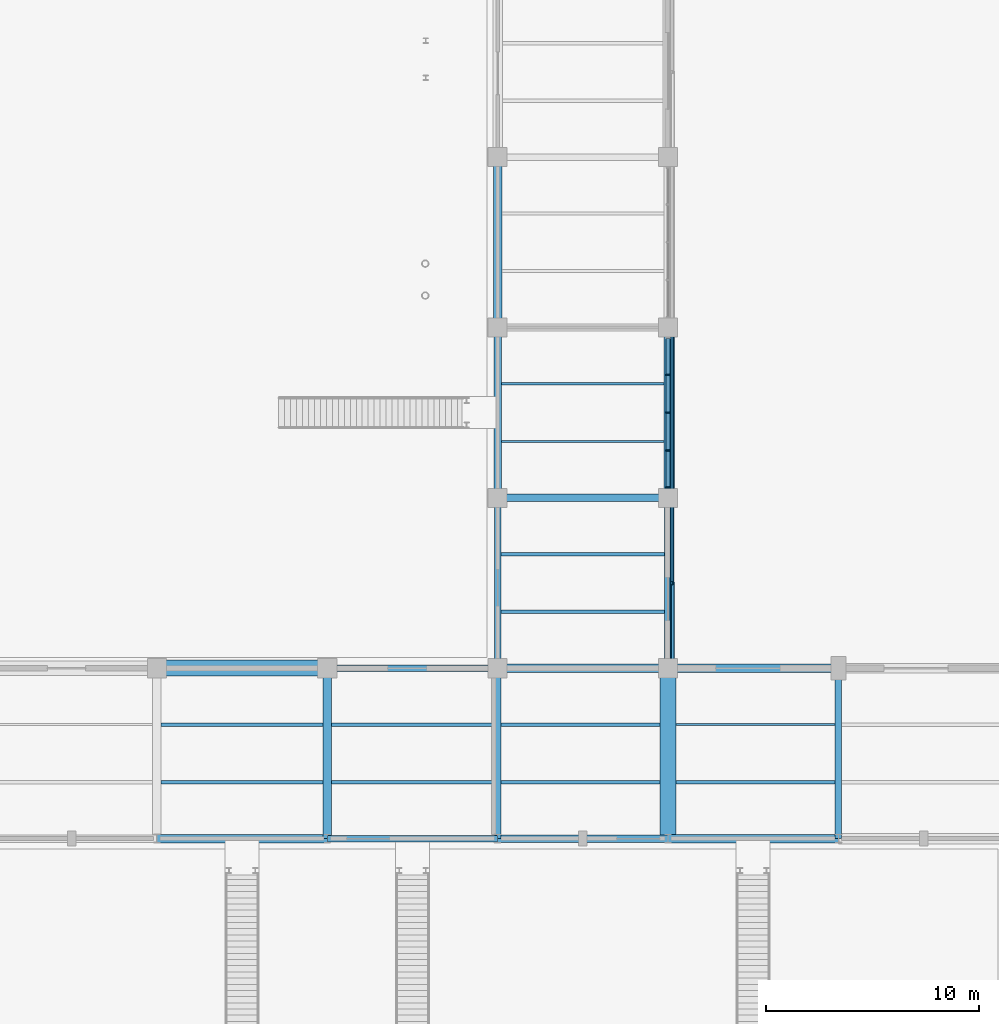
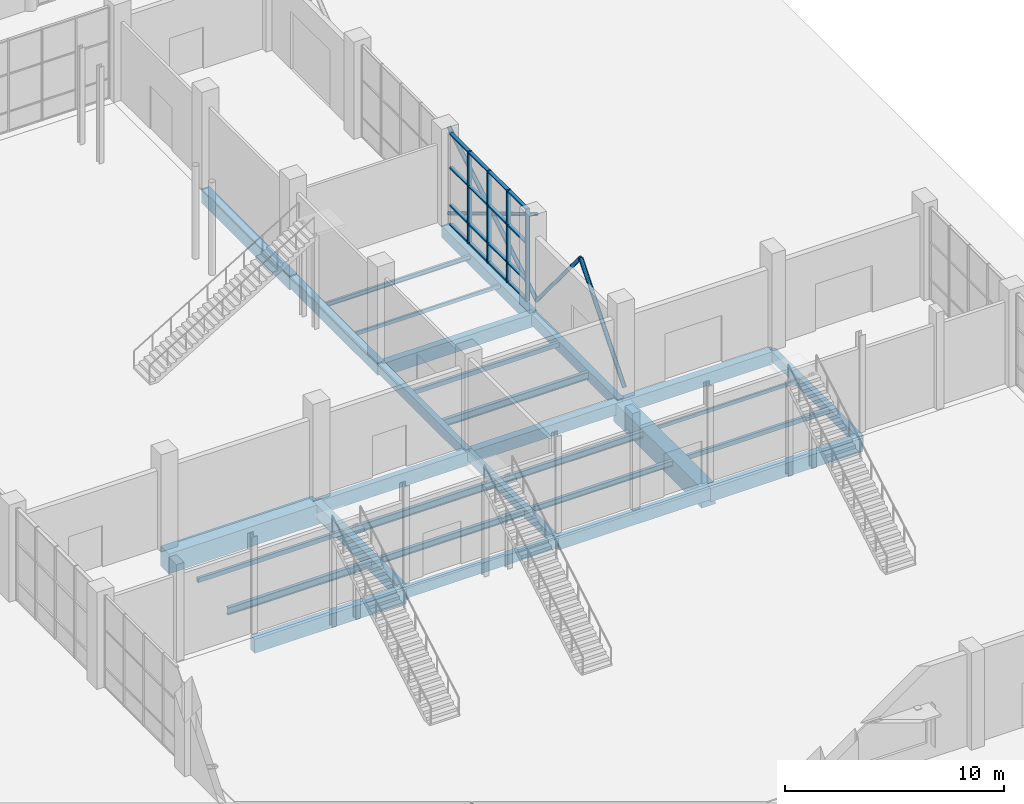
# One storey, part 54 of 123: 30 beams, 24 members, 1 element without a shape of its own.
"""IFC4 building model written with IfcOpenShell, lengths in metres."""

from ifc_helpers import new_model, si_unit, direction, frame, origin, origin_2d, place, context, subcontext, project, spatial, rectangle, hollow_rectangle, hollow_circle, i_section, extrude, material, material_profile, profile_set, type_object, element, aggregate, save


model = new_model("IFC4")

# Units and contexts
model_context = context("Model", 3, precision=1e-05, world=origin(), true_north=direction((0.0, 1.0)))
body_context = subcontext(model_context, "Body", "Model", "MODEL_VIEW")
ifc_project = project(units=[si_unit("LENGTHUNIT", "METRE"), si_unit("AREAUNIT", "SQUARE_METRE"), si_unit("VOLUMEUNIT", "CUBIC_METRE"), si_unit("PLANEANGLEUNIT", "RADIAN"), si_unit("MASSUNIT", "GRAM", prefix="KILO")], contexts=[model_context])

# Site, building, storey
site_placement = place(None, origin())
site = spatial("IfcSite", under=ifc_project, at=site_placement, CompositionType="ELEMENT")
building_placement = place(site_placement, origin())
building = spatial("IfcBuilding", under=site, at=building_placement, Name="Tenunan Teduh Sports Hall", CompositionType="ELEMENT")
storey_placement = place(building_placement, origin())
storey = spatial("IfcBuildingStorey", under=building, at=storey_placement, Name="L00", CompositionType="ELEMENT", Elevation=0.0)

# Beams
ifc_material_1 = material(Name="Concrete C40/50", Category="concrete")
ifc_material_profile_1 = material_profile(ifc_material_1, rectangle(XDim=0.300048828125, YDim=0.5, at=origin_2d()), Name="RCB 300x500")
ifc_profile_set_1 = profile_set([ifc_material_profile_1], Name="Concrete C40/50")
beam_type_1 = type_object("IfcBeamType", Name="BM-RC-300x500", PredefinedType="BEAM", material=ifc_profile_set_1)
beam_1_placement = place(storey_placement, frame((146.0, 38.0, -0.570068359375), z_axis=(0.0, 1.0, 0.0), x_axis=(-1.0, 0.0, 0.0)))
element("IfcBeam", 1, at=beam_1_placement, inside=storey, type_object=beam_type_1, Name="BM-B-01-L00-0868", PredefinedType="BEAM", context=body_context, shape_type="SweptSolid", body=[
    extrude(rectangle(XDim=0.300048828125, YDim=0.5, at=origin_2d()), origin(), (0.0, 0.0, 1.0), 8.0),
])
ifc_material_2 = material(Name="Concrete C40/50", Category="concrete")
ifc_material_profile_2 = material_profile(ifc_material_2, rectangle(XDim=0.300048828125, YDim=0.550048828125, at=origin_2d()), Name="RCB 300x550")
ifc_profile_set_2 = profile_set([ifc_material_profile_2], Name="Concrete C40/50")
beam_type_2 = type_object("IfcBeamType", Name="BM-RC-300x550", PredefinedType="BEAM", material=ifc_profile_set_2)
for number, where, z_axis, x_axis, name in (
    (2, (138.0, 38.0, -0.594970703125), (1.0, 0.0, 0.0), (0.0, 1.0, 0.0), "BM-B-02-L00-0647"),
    (3, (162.0, 38.0, -0.594970703125), (0.0, 1.0, 0.0), (-1.0, 0.0, 0.0), "BM-B-02-L00-0886"),
):
    element("IfcBeam", number, at=place(storey_placement, frame(where, z_axis=z_axis, x_axis=x_axis)), inside=storey, type_object=beam_type_2, Name=name, PredefinedType="BEAM", context=body_context, shape_type="SweptSolid", body=[
        extrude(rectangle(XDim=0.300048828125, YDim=0.550048828125, at=origin_2d()), origin(), (0.0, 0.0, 1.0), 8.0),
    ])
ifc_material_3 = material(Name="Concrete C40/50", Category="concrete")
ifc_material_profile_3 = material_profile(ifc_material_3, rectangle(XDim=0.300048828125, YDim=0.60009765625, at=origin_2d()), Name="RCB 300x600")
ifc_profile_set_3 = profile_set([ifc_material_profile_3], Name="Concrete C40/50")
beam_type_3 = type_object("IfcBeamType", Name="BM-RC-300x600", PredefinedType="BEAM", material=ifc_profile_set_3)
beam_2_placement = place(storey_placement, frame((146.0, 46.0, -0.60009765625), z_axis=(0.0, 1.0, 0.0), x_axis=(-1.0, 0.0, 0.0)))
element("IfcBeam", 4, at=beam_2_placement, inside=storey, type_object=beam_type_3, Name="BM-B-03-L00-0869", PredefinedType="BEAM", context=body_context, shape_type="SweptSolid", body=[
    extrude(rectangle(XDim=0.300048828125, YDim=0.60009765625, at=origin_2d()), origin(), (0.0, 0.0, 1.0), 8.0),
])
ifc_material_4 = material(Name="Concrete C40/50", Category="concrete")
ifc_material_profile_4 = material_profile(ifc_material_4, rectangle(XDim=0.35009765625, YDim=0.60009765625, at=origin_2d()), Name="RCB 350x600")
ifc_profile_set_4 = profile_set([ifc_material_profile_4], Name="Concrete C40/50")
beam_type_4 = type_object("IfcBeamType", Name="BM-RC-350x600", PredefinedType="BEAM", material=ifc_profile_set_4)
beam_3_placement = place(storey_placement, frame((154.0, 46.0, -0.60009765625), z_axis=(0.0, 1.0, 0.0), x_axis=(-1.0, 0.0, 0.0)))
element("IfcBeam", 5, at=beam_3_placement, inside=storey, type_object=beam_type_4, Name="BM-B-04-L00-0878", PredefinedType="BEAM", context=body_context, shape_type="SweptSolid", body=[
    extrude(rectangle(XDim=0.35009765625, YDim=0.60009765625, at=origin_2d()), origin(), (0.0, 0.0, 1.0), 8.0),
])
ifc_material_5 = material(Name="Concrete C40/50", Category="concrete")
ifc_material_profile_5 = material_profile(ifc_material_5, rectangle(XDim=0.35009765625, YDim=0.64990234375, at=origin_2d()), Name="RCB 350x650")
ifc_profile_set_5 = profile_set([ifc_material_profile_5], Name="Concrete C40/50")
beam_type_5 = type_object("IfcBeamType", Name="BM-RC-350x650", PredefinedType="BEAM", material=ifc_profile_set_5)
beam_4_placement = place(storey_placement, frame((146.0, 38.0, -0.64501953125), z_axis=(1.0, 0.0, 0.0), x_axis=(0.0, 1.0, 0.0)))
element("IfcBeam", 6, at=beam_4_placement, inside=storey, type_object=beam_type_5, Name="BM-B-05-L00-0648", PredefinedType="BEAM", context=body_context, shape_type="SweptSolid", body=[
    extrude(rectangle(XDim=0.35009765625, YDim=0.64990234375, at=origin_2d()), origin(), (0.0, 0.0, 1.0), 8.0),
])
ifc_material_6 = material(Name="Concrete C40/50", Category="concrete")
ifc_material_profile_6 = material_profile(ifc_material_6, rectangle(XDim=0.35009765625, YDim=0.699951171875, at=origin_2d()), Name="RCB 350x700")
ifc_profile_set_6 = profile_set([ifc_material_profile_6], Name="Concrete C40/50")
beam_type_6 = type_object("IfcBeamType", Name="BM-RC-350x700", PredefinedType="BEAM", material=ifc_profile_set_6)
beam_5_placement = place(storey_placement, frame((146.0, 54.0, -0.64990234375), z_axis=(0.0, 1.0, 0.0), x_axis=(-1.0, 0.0, 0.0)))
element("IfcBeam", 7, at=beam_5_placement, inside=storey, type_object=beam_type_6, Name="BM-B-06-L00-0870", PredefinedType="BEAM", context=body_context, shape_type="SweptSolid", body=[
    extrude(rectangle(XDim=0.35009765625, YDim=0.699951171875, at=origin_2d()), origin(), (0.0, 0.0, 1.0), 8.0),
])
ifc_material_7 = material(Name="Concrete C40/50", Category="concrete")
ifc_material_profile_7 = material_profile(ifc_material_7, rectangle(XDim=0.39990234375, YDim=0.64990234375, at=origin_2d()), Name="RCB 400x650")
ifc_profile_set_7 = profile_set([ifc_material_profile_7], Name="Concrete C40/50")
beam_type_7 = type_object("IfcBeamType", Name="BM-RC-400x650", PredefinedType="BEAM", material=ifc_profile_set_7)
for number, where, z_axis, x_axis, name in (
    (8, (146.0, 46.0, -0.64501953125), (1.0, 0.0, 0.0), (0.0, 1.0, 0.0), "BM-B-07-L00-0662"),
    (9, (154.0, 54.0, -0.625), (0.0, 1.0, 0.0), (-1.0, 0.0, 0.0), "BM-B-07-L00-0879"),
):
    element("IfcBeam", number, at=place(storey_placement, frame(where, z_axis=z_axis, x_axis=x_axis)), inside=storey, type_object=beam_type_7, Name=name, PredefinedType="BEAM", context=body_context, shape_type="SweptSolid", body=[
        extrude(rectangle(XDim=0.39990234375, YDim=0.64990234375, at=origin_2d()), origin(), (0.0, 0.0, 1.0), 8.0),
    ])
ifc_material_8 = material(Name="Concrete C40/50", Category="concrete")
ifc_material_profile_8 = material_profile(ifc_material_8, rectangle(XDim=0.39990234375, YDim=0.699951171875, at=origin_2d()), Name="RCB 400x700")
ifc_profile_set_8 = profile_set([ifc_material_profile_8], Name="Concrete C40/50")
beam_type_8 = type_object("IfcBeamType", Name="BM-RC-400x700", PredefinedType="BEAM", material=ifc_profile_set_8)
beam_6_placement = place(storey_placement, frame((154.0, 46.0, -0.669921875), z_axis=(1.0, 0.0, 0.0), x_axis=(0.0, 1.0, 0.0)))
element("IfcBeam", 10, at=beam_6_placement, inside=storey, type_object=beam_type_8, Name="BM-B-08-L00-0663", PredefinedType="BEAM", context=body_context, shape_type="SweptSolid", body=[
    extrude(rectangle(XDim=0.39990234375, YDim=0.699951171875, at=origin_2d()), origin(), (0.0, 0.0, 1.0), 8.0),
])
ifc_material_9 = material(Name="Concrete C40/50", Category="concrete")
ifc_material_profile_9 = material_profile(ifc_material_9, rectangle(XDim=0.39990234375, YDim=0.75, at=origin_2d()), Name="RCB 400x750")
ifc_profile_set_9 = profile_set([ifc_material_profile_9], Name="Concrete C40/50")
beam_type_9 = type_object("IfcBeamType", Name="BM-RC-400x750", PredefinedType="BEAM", material=ifc_profile_set_9)
beam_7_placement = place(storey_placement, frame((154.0, 38.0, -0.695068359375), z_axis=(1.0, 0.0, 0.0), x_axis=(0.0, 1.0, 0.0)))
element("IfcBeam", 11, at=beam_7_placement, inside=storey, type_object=beam_type_9, Name="BM-B-09-L00-0649", PredefinedType="BEAM", context=body_context, shape_type="SweptSolid", body=[
    extrude(rectangle(XDim=0.39990234375, YDim=0.75, at=origin_2d()), origin(), (0.0, 0.0, 1.0), 8.0),
])
ifc_material_10 = material(Name="Concrete C40/50", Category="concrete")
ifc_material_profile_10 = material_profile(ifc_material_10, rectangle(XDim=0.39990234375, YDim=0.800048828125, at=origin_2d()), Name="RCB 400x800")
ifc_profile_set_10 = profile_set([ifc_material_profile_10], Name="Concrete C40/50")
beam_type_10 = type_object("IfcBeamType", Name="BM-RC-400x800", PredefinedType="BEAM", material=ifc_profile_set_10)
beam_8_placement = place(storey_placement, frame((146.0, 62.0, -0.699951171875), z_axis=(0.0, 1.0, 0.0), x_axis=(-1.0, 0.0, 0.0)))
element("IfcBeam", 12, at=beam_8_placement, inside=storey, type_object=beam_type_10, Name="BM-B-10-L00-0871", PredefinedType="BEAM", context=body_context, shape_type="SweptSolid", body=[
    extrude(rectangle(XDim=0.39990234375, YDim=0.800048828125, at=origin_2d()), origin(), (0.0, 0.0, 1.0), 8.0),
])
ifc_material_11 = material(Name="Concrete C40/50", Category="concrete")
ifc_material_profile_11 = material_profile(ifc_material_11, rectangle(XDim=0.75, YDim=1.10009765625, at=origin_2d()), Name="RCB 750x1100")
ifc_profile_set_11 = profile_set([ifc_material_profile_11], Name="Concrete C40/50")
beam_type_11 = type_object("IfcBeamType", Name="BM-RC-750x1100", PredefinedType="SPANDREL", material=ifc_profile_set_11)
for number, where, z_axis, x_axis, name in (
    (13, (130.0, 46.0, -0.8701171875), (1.0, 0.0, 0.0), (0.0, 1.0, 0.0), "BM-B-20-L00-0660"),
    (14, (154.0, 38.0, -0.8701171875), (0.0, 1.0, 0.0), (-1.0, 0.0, 0.0), "BM-B-20-L00-0877"),
):
    element("IfcBeam", number, at=place(storey_placement, frame(where, z_axis=z_axis, x_axis=x_axis)), inside=storey, type_object=beam_type_11, Name=name, PredefinedType="SPANDREL", context=body_context, shape_type="SweptSolid", body=[
        extrude(rectangle(XDim=0.75, YDim=1.10009765625, at=origin_2d()), origin(), (0.0, 0.0, 1.0), 8.0),
    ])
ifc_material_12 = material(Name="Concrete C40/50", Category="concrete")
ifc_material_profile_12 = material_profile(ifc_material_12, rectangle(XDim=0.300048828125, YDim=0.75, at=origin_2d()), Name="SPB 300x750")
ifc_profile_set_12 = profile_set([ifc_material_profile_12], Name="Concrete C40/50")
beam_type_12 = type_object("IfcBeamType", Name="BM-SP-300x750", PredefinedType="SPANDREL", material=ifc_profile_set_12)
beam_9_placement = place(storey_placement, frame((138.0, 46.0, -0.695068359375), z_axis=(1.0, 0.0, 0.0), x_axis=(0.0, 1.0, 0.0)))
element("IfcBeam", 15, at=beam_9_placement, inside=storey, type_object=beam_type_12, Name="BM-SP-01-L00-0661", PredefinedType="SPANDREL", context=body_context, shape_type="SweptSolid", body=[
    extrude(rectangle(XDim=0.300048828125, YDim=0.75, at=origin_2d()), origin(), (0.0, 0.0, 1.0), 8.0),
])
ifc_material_13 = material(Name="Concrete C40/50", Category="concrete")
ifc_material_profile_13 = material_profile(ifc_material_13, rectangle(XDim=0.35009765625, YDim=0.719970703125, at=origin_2d()), Name="TB 350x720")
ifc_profile_set_13 = profile_set([ifc_material_profile_13], Name="Concrete C40/50")
beam_type_13 = type_object("IfcBeamType", Name="BM-TB-350x720", PredefinedType="T_BEAM", material=ifc_profile_set_13)
beam_10_placement = place(storey_placement, frame((146.0, 54.0, -0.659912109375), z_axis=(1.0, 0.0, 0.0), x_axis=(0.0, 1.0, 0.0)))
element("IfcBeam", 16, at=beam_10_placement, inside=storey, type_object=beam_type_13, Name="BM-TB-01-L00-0667", PredefinedType="T_BEAM", context=body_context, shape_type="SweptSolid", body=[
    extrude(rectangle(XDim=0.35009765625, YDim=0.719970703125, at=origin_2d()), origin(), (0.0, 0.0, 1.0), 8.0),
])
ifc_material_14 = material(Name="Concrete C40/50", Category="concrete")
ifc_material_profile_14 = material_profile(ifc_material_14, rectangle(XDim=0.39990234375, YDim=0.780029296875, at=origin_2d()), Name="TB 400x780")
ifc_profile_set_14 = profile_set([ifc_material_profile_14], Name="Concrete C40/50")
beam_type_14 = type_object("IfcBeamType", Name="BM-TB-400x780", PredefinedType="T_BEAM", material=ifc_profile_set_14)
for number, where, z_axis, x_axis, name in (
    (17, (130.0, 38.0, -0.7099609375), (1.0, 0.0, 0.0), (0.0, 1.0, 0.0), "BM-TB-02-L00-0646"),
    (18, (138.0, 38.0, -0.7099609375), (0.0, 1.0, 0.0), (-1.0, 0.0, 0.0), "BM-TB-02-L00-0863"),
):
    element("IfcBeam", number, at=place(storey_placement, frame(where, z_axis=z_axis, x_axis=x_axis)), inside=storey, type_object=beam_type_14, Name=name, PredefinedType="T_BEAM", context=body_context, shape_type="SweptSolid", body=[
        extrude(rectangle(XDim=0.39990234375, YDim=0.780029296875, at=origin_2d()), origin(), (0.0, 0.0, 1.0), 8.0),
    ])

# Curtain wall, members
ifc_material_15 = material(Name="Anodised aluminium", Category="aluminium")
curtain_wall_type = type_object("IfcCurtainWallType", Name="CW-UNIT-1", PredefinedType="NOTDEFINED", material=ifc_material_15)
curtain_wall_placement = place(storey_placement, origin())
curtain_wall = element("IfcCurtainWall", 19, at=curtain_wall_placement, inside=storey, type_object=curtain_wall_type, Name="CW-CWM-220-L00-113", PredefinedType="NOTDEFINED")
ifc_material_16 = material(Name="Anodised aluminium", Category="aluminium")
ifc_material_profile_15 = material_profile(ifc_material_16, rectangle(XDim=0.074951171875, YDim=0.219970703125, at=origin_2d()), Name="CWM 75x220")
ifc_profile_set_15 = profile_set([ifc_material_profile_15], Name="Anodised aluminium")
member_type_1 = type_object("IfcMemberType", Name="CWM-220", PredefinedType="MULLION", material=ifc_profile_set_15)
member_1_placement = place(storey_placement, frame((154.0, 54.487548828125, 0.0), z_axis=(0.0, 0.0, 1.0), x_axis=(0.0, 1.0, 0.0)))
member_1 = element("IfcMember", 20, at=member_1_placement, type_object=member_type_1, Name="CW-01 mullion 1", PredefinedType="MULLION", context=body_context, shape_type="SweptSolid", body=[
    extrude(rectangle(XDim=0.074951171875, YDim=0.219970703125, at=origin_2d()), origin(), (0.0, 0.0, 1.0), 5.1201171875),
])
member_2_placement = place(storey_placement, frame((154.0, 56.22509765625, 0.0), z_axis=(0.0, 0.0, 1.0), x_axis=(0.0, 1.0, 0.0)))
member_2 = element("IfcMember", 21, at=member_2_placement, type_object=member_type_1, Name="CW-01 mullion 2", PredefinedType="MULLION", context=body_context, shape_type="SweptSolid", body=[
    extrude(rectangle(XDim=0.074951171875, YDim=0.219970703125, at=origin_2d()), origin(), (0.0, 0.0, 1.0), 5.1201171875),
])
member_3_placement = place(storey_placement, frame((154.0, 58.0, 0.0), z_axis=(0.0, 0.0, 1.0), x_axis=(0.0, 1.0, 0.0)))
member_3 = element("IfcMember", 22, at=member_3_placement, type_object=member_type_1, Name="CW-01 mullion 3", PredefinedType="MULLION", context=body_context, shape_type="SweptSolid", body=[
    extrude(rectangle(XDim=0.074951171875, YDim=0.219970703125, at=origin_2d()), origin(), (0.0, 0.0, 1.0), 5.1201171875),
])
member_4_placement = place(storey_placement, frame((154.0, 59.77490234375, 0.0), z_axis=(0.0, 0.0, 1.0), x_axis=(0.0, 1.0, 0.0)))
member_4 = element("IfcMember", 23, at=member_4_placement, type_object=member_type_1, Name="CW-01 mullion 4", PredefinedType="MULLION", context=body_context, shape_type="SweptSolid", body=[
    extrude(rectangle(XDim=0.074951171875, YDim=0.219970703125, at=origin_2d()), origin(), (0.0, 0.0, 1.0), 5.1201171875),
])
ifc_material_17 = material(Name="Anodised aluminium", Category="aluminium")
ifc_material_profile_16 = material_profile(ifc_material_17, rectangle(XDim=0.074951171875, YDim=0.179931640625, at=origin_2d()), Name="CWT 75x180")
ifc_profile_set_16 = profile_set([ifc_material_profile_16], Name="Anodised aluminium")
member_type_2 = type_object("IfcMemberType", Name="CWT-180", PredefinedType="USERDEFINED", material=ifc_profile_set_16)
member_5_placement = place(storey_placement, frame((154.0, 54.52490234375, 0.03759765625), z_axis=(0.0, 1.0, 0.0), x_axis=(0.0, 0.0, 1.0)))
member_5 = element("IfcMember", 24, at=member_5_placement, type_object=member_type_2, Name="CW-01 transom 1.1", ObjectType="TRANSOM", PredefinedType="USERDEFINED", context=body_context, shape_type="SweptSolid", body=[
    extrude(rectangle(XDim=0.074951171875, YDim=0.179931640625, at=origin_2d()), origin(), (0.0, 0.0, 1.0), 1.66259765625),
])
member_6_placement = place(storey_placement, frame((154.0, 54.52490234375, 1.10009765625), z_axis=(0.0, 1.0, 0.0), x_axis=(0.0, 0.0, 1.0)))
member_6 = element("IfcMember", 25, at=member_6_placement, type_object=member_type_2, Name="CW-01 transom 1.2", ObjectType="TRANSOM", PredefinedType="USERDEFINED", context=body_context, shape_type="SweptSolid", body=[
    extrude(rectangle(XDim=0.074951171875, YDim=0.179931640625, at=origin_2d()), origin(), (0.0, 0.0, 1.0), 1.66259765625),
])
member_7_placement = place(storey_placement, frame((154.0, 54.52490234375, 3.199951171875), z_axis=(0.0, 1.0, 0.0), x_axis=(0.0, 0.0, 1.0)))
member_7 = element("IfcMember", 26, at=member_7_placement, type_object=member_type_2, Name="CW-01 transom 1.3", ObjectType="TRANSOM", PredefinedType="USERDEFINED", context=body_context, shape_type="SweptSolid", body=[
    extrude(rectangle(XDim=0.074951171875, YDim=0.179931640625, at=origin_2d()), origin(), (0.0, 0.0, 1.0), 1.66259765625),
])
member_8_placement = place(storey_placement, frame((154.0, 54.52490234375, 5.08251953125), z_axis=(0.0, 1.0, 0.0), x_axis=(0.0, 0.0, 1.0)))
member_8 = element("IfcMember", 27, at=member_8_placement, type_object=member_type_2, Name="CW-01 transom 1.4", ObjectType="TRANSOM", PredefinedType="USERDEFINED", context=body_context, shape_type="SweptSolid", body=[
    extrude(rectangle(XDim=0.074951171875, YDim=0.179931640625, at=origin_2d()), origin(), (0.0, 0.0, 1.0), 1.66259765625),
])
member_9_placement = place(storey_placement, frame((154.0, 56.262451171875, 0.03759765625), z_axis=(0.0, 1.0, 0.0), x_axis=(0.0, 0.0, 1.0)))
member_9 = element("IfcMember", 28, at=member_9_placement, type_object=member_type_2, Name="CW-01 transom 2.1", ObjectType="TRANSOM", PredefinedType="USERDEFINED", context=body_context, shape_type="SweptSolid", body=[
    extrude(rectangle(XDim=0.074951171875, YDim=0.179931640625, at=origin_2d()), origin(), (0.0, 0.0, 1.0), 1.699951171875),
])
member_10_placement = place(storey_placement, frame((154.0, 56.262451171875, 1.10009765625), z_axis=(0.0, 1.0, 0.0), x_axis=(0.0, 0.0, 1.0)))
member_10 = element("IfcMember", 29, at=member_10_placement, type_object=member_type_2, Name="CW-01 transom 2.2", ObjectType="TRANSOM", PredefinedType="USERDEFINED", context=body_context, shape_type="SweptSolid", body=[
    extrude(rectangle(XDim=0.074951171875, YDim=0.179931640625, at=origin_2d()), origin(), (0.0, 0.0, 1.0), 1.699951171875),
])
member_11_placement = place(storey_placement, frame((154.0, 56.262451171875, 3.199951171875), z_axis=(0.0, 1.0, 0.0), x_axis=(0.0, 0.0, 1.0)))
member_11 = element("IfcMember", 30, at=member_11_placement, type_object=member_type_2, Name="CW-01 transom 2.3", ObjectType="TRANSOM", PredefinedType="USERDEFINED", context=body_context, shape_type="SweptSolid", body=[
    extrude(rectangle(XDim=0.074951171875, YDim=0.179931640625, at=origin_2d()), origin(), (0.0, 0.0, 1.0), 1.699951171875),
])
member_12_placement = place(storey_placement, frame((154.0, 56.262451171875, 5.08251953125), z_axis=(0.0, 1.0, 0.0), x_axis=(0.0, 0.0, 1.0)))
member_12 = element("IfcMember", 31, at=member_12_placement, type_object=member_type_2, Name="CW-01 transom 2.4", ObjectType="TRANSOM", PredefinedType="USERDEFINED", context=body_context, shape_type="SweptSolid", body=[
    extrude(rectangle(XDim=0.074951171875, YDim=0.179931640625, at=origin_2d()), origin(), (0.0, 0.0, 1.0), 1.699951171875),
])
member_13_placement = place(storey_placement, frame((154.0, 58.03759765625, 0.03759765625), z_axis=(0.0, 1.0, 0.0), x_axis=(0.0, 0.0, 1.0)))
member_13 = element("IfcMember", 32, at=member_13_placement, type_object=member_type_2, Name="CW-01 transom 3.1", ObjectType="TRANSOM", PredefinedType="USERDEFINED", context=body_context, shape_type="SweptSolid", body=[
    extrude(rectangle(XDim=0.074951171875, YDim=0.179931640625, at=origin_2d()), origin(), (0.0, 0.0, 1.0), 1.699951171875),
])
member_14_placement = place(storey_placement, frame((154.0, 58.03759765625, 1.10009765625), z_axis=(0.0, 1.0, 0.0), x_axis=(0.0, 0.0, 1.0)))
member_14 = element("IfcMember", 33, at=member_14_placement, type_object=member_type_2, Name="CW-01 transom 3.2", ObjectType="TRANSOM", PredefinedType="USERDEFINED", context=body_context, shape_type="SweptSolid", body=[
    extrude(rectangle(XDim=0.074951171875, YDim=0.179931640625, at=origin_2d()), origin(), (0.0, 0.0, 1.0), 1.699951171875),
])
member_15_placement = place(storey_placement, frame((154.0, 58.03759765625, 3.199951171875), z_axis=(0.0, 1.0, 0.0), x_axis=(0.0, 0.0, 1.0)))
member_15 = element("IfcMember", 34, at=member_15_placement, type_object=member_type_2, Name="CW-01 transom 3.3", ObjectType="TRANSOM", PredefinedType="USERDEFINED", context=body_context, shape_type="SweptSolid", body=[
    extrude(rectangle(XDim=0.074951171875, YDim=0.179931640625, at=origin_2d()), origin(), (0.0, 0.0, 1.0), 1.699951171875),
])
member_16_placement = place(storey_placement, frame((154.0, 58.03759765625, 5.08251953125), z_axis=(0.0, 1.0, 0.0), x_axis=(0.0, 0.0, 1.0)))
member_16 = element("IfcMember", 35, at=member_16_placement, type_object=member_type_2, Name="CW-01 transom 3.4", ObjectType="TRANSOM", PredefinedType="USERDEFINED", context=body_context, shape_type="SweptSolid", body=[
    extrude(rectangle(XDim=0.074951171875, YDim=0.179931640625, at=origin_2d()), origin(), (0.0, 0.0, 1.0), 1.699951171875),
])
member_17_placement = place(storey_placement, frame((154.0, 59.8125, 0.03759765625), z_axis=(0.0, 1.0, 0.0), x_axis=(0.0, 0.0, 1.0)))
member_17 = element("IfcMember", 36, at=member_17_placement, type_object=member_type_2, Name="CW-01 transom 4.1", ObjectType="TRANSOM", PredefinedType="USERDEFINED", context=body_context, shape_type="SweptSolid", body=[
    extrude(rectangle(XDim=0.074951171875, YDim=0.179931640625, at=origin_2d()), origin(), (0.0, 0.0, 1.0), 1.66259765625),
])
member_18_placement = place(storey_placement, frame((154.0, 59.8125, 1.10009765625), z_axis=(0.0, 1.0, 0.0), x_axis=(0.0, 0.0, 1.0)))
member_18 = element("IfcMember", 37, at=member_18_placement, type_object=member_type_2, Name="CW-01 transom 4.2", ObjectType="TRANSOM", PredefinedType="USERDEFINED", context=body_context, shape_type="SweptSolid", body=[
    extrude(rectangle(XDim=0.074951171875, YDim=0.179931640625, at=origin_2d()), origin(), (0.0, 0.0, 1.0), 1.66259765625),
])
member_19_placement = place(storey_placement, frame((154.0, 59.8125, 3.199951171875), z_axis=(0.0, 1.0, 0.0), x_axis=(0.0, 0.0, 1.0)))
member_19 = element("IfcMember", 38, at=member_19_placement, type_object=member_type_2, Name="CW-01 transom 4.3", ObjectType="TRANSOM", PredefinedType="USERDEFINED", context=body_context, shape_type="SweptSolid", body=[
    extrude(rectangle(XDim=0.074951171875, YDim=0.179931640625, at=origin_2d()), origin(), (0.0, 0.0, 1.0), 1.66259765625),
])
member_20_placement = place(storey_placement, frame((154.0, 59.8125, 5.08251953125), z_axis=(0.0, 1.0, 0.0), x_axis=(0.0, 0.0, 1.0)))
member_20 = element("IfcMember", 39, at=member_20_placement, type_object=member_type_2, Name="CW-01 transom 4.4", ObjectType="TRANSOM", PredefinedType="USERDEFINED", context=body_context, shape_type="SweptSolid", body=[
    extrude(rectangle(XDim=0.074951171875, YDim=0.179931640625, at=origin_2d()), origin(), (0.0, 0.0, 1.0), 1.66259765625),
])
aggregate(curtain_wall, [member_1, member_2, member_3, member_4, member_5, member_6, member_7, member_8, member_9, member_10, member_11, member_12, member_13, member_14, member_15, member_16, member_17, member_18, member_19, member_20])

# Beam
ifc_material_18 = material(Name="Steel S355", Category="steel")
ifc_material_profile_17 = material_profile(ifc_material_18, i_section(OverallWidth=0.1201171875, OverallDepth=0.239990234375, WebThickness=0.006103515625, FlangeThickness=0.009765625, FilletRadius=0.014892578125, at=origin_2d()), Name="IPE 240")
ifc_profile_set_17 = profile_set([ifc_material_profile_17], Name="Steel S355")
beam_type_15 = type_object("IfcBeamType", Name="JST-IPE240", PredefinedType="JOIST", material=ifc_profile_set_17)
beam_11_placement = place(storey_placement, frame((146.175048828125, 59.35009765625, -0.419921875), z_axis=(1.0, 0.0, 0.0), x_axis=(0.0, 1.0, 0.0)))
element("IfcBeam", 40, at=beam_11_placement, inside=storey, type_object=beam_type_15, Name="BM-J-02-L00-1035", PredefinedType="JOIST", context=body_context, shape_type="SweptSolid", body=[
    extrude(i_section(OverallWidth=0.1201171875, OverallDepth=0.239990234375, WebThickness=0.006103515625, FlangeThickness=0.009765625, FilletRadius=0.014892578125, at=origin_2d()), origin(), (0.0, 0.0, 1.0), 7.625),
])

# Members
ifc_material_19 = material(Name="Steel S355", Category="steel")
ifc_material_profile_18 = material_profile(ifc_material_19, hollow_circle(Radius=0.096923828125, WallThickness=0.008056640625, at=origin_2d()), Name="CHS 193.7x8.0")
ifc_profile_set_18 = profile_set([ifc_material_profile_18], Name="Steel S355")
member_type_3 = type_object("IfcMemberType", Name="MEM-BR-CHS194", PredefinedType="BRACE", material=ifc_profile_set_18)
member_21_placement = place(storey_placement, frame((154.18994140625, 54.0, 0.25), z_axis=(0.0, -0.640180556359, 0.768224482335), x_axis=(1.0, 0.0, 0.0)))
element("IfcMember", 41, at=member_21_placement, inside=storey, type_object=member_type_3, Name="MEM-GD-03-L00-1053", PredefinedType="BRACE", context=body_context, shape_type="SweptSolid", body=[
    extrude(hollow_circle(Radius=0.096923828125, WallThickness=0.008056640625, at=origin_2d()), origin(), (0.0, 0.0, 1.0), 6.248291015625),
])
member_22_placement = place(storey_placement, frame((154.18994140625, 62.0, 0.25), z_axis=(0.0, -0.857490616715, 0.514499603737), x_axis=(1.0, 0.0, 0.0)))
element("IfcMember", 42, at=member_22_placement, inside=storey, type_object=member_type_3, Name="MEM-GD-03-L00-1055", PredefinedType="BRACE", context=body_context, shape_type="SweptSolid", body=[
    extrude(hollow_circle(Radius=0.096923828125, WallThickness=0.008056640625, at=origin_2d()), origin(), (0.0, 0.0, 1.0), 9.32958984375),
])
ifc_material_20 = material(Name="Steel S355", Category="steel")
ifc_material_profile_19 = material_profile(ifc_material_20, hollow_circle(Radius=0.109619140625, WallThickness=0.010009765625, at=origin_2d()), Name="CHS 219.1x10.0")
ifc_profile_set_19 = profile_set([ifc_material_profile_19], Name="Steel S355")
member_type_4 = type_object("IfcMemberType", Name="MEM-BR-CHS219", PredefinedType="BRACE", material=ifc_profile_set_19)
member_23_placement = place(storey_placement, frame((154.199951171875, 46.0, 0.25), z_axis=(0.0, 0.640180556359, 0.768224482335), x_axis=(-1.0, 0.0, 0.0)))
element("IfcMember", 43, at=member_23_placement, inside=storey, type_object=member_type_4, Name="MEM-GD-02-L00-1052", PredefinedType="BRACE", context=body_context, shape_type="SweptSolid", body=[
    extrude(hollow_circle(Radius=0.109619140625, WallThickness=0.010009765625, at=origin_2d()), origin(), (0.0, 0.0, 1.0), 6.248291015625),
])
member_24_placement = place(storey_placement, frame((154.199951171875, 54.0, 0.25), z_axis=(0.0, 0.857490616715, 0.514499603737), x_axis=(-1.0, 0.0, 0.0)))
element("IfcMember", 44, at=member_24_placement, inside=storey, type_object=member_type_4, Name="MEM-GD-02-L00-1054", PredefinedType="BRACE", context=body_context, shape_type="SweptSolid", body=[
    extrude(hollow_circle(Radius=0.109619140625, WallThickness=0.010009765625, at=origin_2d()), origin(), (0.0, 0.0, 1.0), 9.32958984375),
])

# Beams
ifc_material_21 = material(Name="Steel S355", Category="steel")
ifc_material_profile_20 = material_profile(ifc_material_21, hollow_rectangle(XDim=0.10009765625, YDim=0.199951171875, WallThickness=0.008056640625, at=origin_2d()), Name="RHS 200x100x8.0")
ifc_profile_set_20 = profile_set([ifc_material_profile_20], Name="Steel S355")
beam_type_16 = type_object("IfcBeamType", Name="RBM-RHS200", PredefinedType="JOIST", material=ifc_profile_set_20)
beam_12_placement = place(storey_placement, frame((146.175048828125, 56.64990234375, -0.39990234375), z_axis=(1.0, 0.0, 0.0), x_axis=(0.0, 1.0, 0.0)))
element("IfcBeam", 45, at=beam_12_placement, inside=storey, type_object=beam_type_16, Name="Perimeter Ring Beam BM-RB-05-L00-1034", PredefinedType="JOIST", context=body_context, shape_type="SweptSolid", body=[
    extrude(hollow_rectangle(XDim=0.10009765625, YDim=0.199951171875, WallThickness=0.008056640625, at=origin_2d()), origin(), (0.0, 0.0, 1.0), 7.625),
])
beam_13_placement = place(storey_placement, frame((154.375, 43.35009765625, -0.419921875), z_axis=(1.0, 0.0, 0.0), x_axis=(0.0, 1.0, 0.0)))
element("IfcBeam", 46, at=beam_13_placement, inside=storey, type_object=beam_type_16, Name="Perimeter Ring Beam BM-RB-05-L00-1045", PredefinedType="JOIST", context=body_context, shape_type="SweptSolid", body=[
    extrude(hollow_rectangle(XDim=0.10009765625, YDim=0.199951171875, WallThickness=0.008056640625, at=origin_2d()), origin(), (0.0, 0.0, 1.0), 7.47509765625),
])
ifc_material_22 = material(Name="Steel S355", Category="steel")
ifc_material_profile_21 = material_profile(ifc_material_22, hollow_rectangle(XDim=0.14990234375, YDim=0.25, WallThickness=0.010009765625, at=origin_2d()), Name="RHS 250x150x10.0")
ifc_profile_set_21 = profile_set([ifc_material_profile_21], Name="Steel S355")
beam_type_17 = type_object("IfcBeamType", Name="RBM-RHS250", PredefinedType="BEAM", material=ifc_profile_set_21)
beam_14_placement = place(storey_placement, frame((130.199951171875, 43.35009765625, -0.445068359375), z_axis=(1.0, 0.0, 0.0), x_axis=(0.0, 1.0, 0.0)))
element("IfcBeam", 47, at=beam_14_placement, inside=storey, type_object=beam_type_17, Name="Perimeter Ring Beam BM-RB-04-L00-1011", PredefinedType="BEAM", context=body_context, shape_type="SweptSolid", body=[
    extrude(hollow_rectangle(XDim=0.14990234375, YDim=0.25, WallThickness=0.010009765625, at=origin_2d()), origin(), (0.0, 0.0, 1.0), 7.60009765625),
])
beam_15_placement = place(storey_placement, frame((146.14990234375, 51.35009765625, -0.425048828125), z_axis=(1.0, 0.0, 0.0), x_axis=(0.0, 1.0, 0.0)))
element("IfcBeam", 48, at=beam_15_placement, inside=storey, type_object=beam_type_17, Name="Perimeter Ring Beam BM-RB-04-L00-1033", PredefinedType="BEAM", context=body_context, shape_type="SweptSolid", body=[
    extrude(hollow_rectangle(XDim=0.14990234375, YDim=0.25, WallThickness=0.010009765625, at=origin_2d()), origin(), (0.0, 0.0, 1.0), 7.675048828125),
])
beam_16_placement = place(storey_placement, frame((154.375, 40.64990234375, -0.445068359375), z_axis=(1.0, 0.0, 0.0), x_axis=(0.0, 1.0, 0.0)))
element("IfcBeam", 49, at=beam_16_placement, inside=storey, type_object=beam_type_17, Name="Perimeter Ring Beam BM-RB-04-L00-1044", PredefinedType="BEAM", context=body_context, shape_type="SweptSolid", body=[
    extrude(hollow_rectangle(XDim=0.14990234375, YDim=0.25, WallThickness=0.010009765625, at=origin_2d()), origin(), (0.0, 0.0, 1.0), 7.47509765625),
])
ifc_material_23 = material(Name="Steel S355", Category="steel")
ifc_material_profile_22 = material_profile(ifc_material_23, i_section(OverallWidth=0.1650390625, OverallDepth=0.303466796875, WebThickness=0.006103515625, FlangeThickness=0.01025390625, FilletRadius=0.0087890625, at=origin_2d()), Name="UKB 305x165x40")
ifc_profile_set_22 = profile_set([ifc_material_profile_22], Name="Steel S355")
beam_type_18 = type_object("IfcBeamType", Name="SBM-UKB305", PredefinedType="BEAM", material=ifc_profile_set_22)
beam_17_placement = place(storey_placement, frame((146.14990234375, 40.64990234375, -0.4716796875), z_axis=(1.0, 0.0, 0.0), x_axis=(0.0, 1.0, 0.0)))
element("IfcBeam", 50, at=beam_17_placement, inside=storey, type_object=beam_type_18, Name="BM-SB-01-L00-1030", PredefinedType="BEAM", context=body_context, shape_type="SweptSolid", body=[
    extrude(i_section(OverallWidth=0.1650390625, OverallDepth=0.303466796875, WebThickness=0.006103515625, FlangeThickness=0.01025390625, FilletRadius=0.0087890625, at=origin_2d()), origin(), (0.0, 0.0, 1.0), 7.47509765625),
])
ifc_material_24 = material(Name="Steel S355", Category="steel")
ifc_material_profile_23 = material_profile(ifc_material_24, i_section(OverallWidth=0.17138671875, OverallDepth=0.35498046875, WebThickness=0.00732421875, FlangeThickness=0.011474609375, FilletRadius=0.01025390625, at=origin_2d()), Name="UKB 356x171x51")
ifc_profile_set_23 = profile_set([ifc_material_profile_23], Name="Steel S355")
beam_type_19 = type_object("IfcBeamType", Name="SBM-UKB356", PredefinedType="BEAM", material=ifc_profile_set_23)
beam_18_placement = place(storey_placement, frame((138.199951171875, 40.64990234375, -0.49755859375), z_axis=(1.0, 0.0, 0.0), x_axis=(0.0, 1.0, 0.0)))
element("IfcBeam", 51, at=beam_18_placement, inside=storey, type_object=beam_type_19, Name="BM-SB-02-L00-1020", PredefinedType="BEAM", context=body_context, shape_type="SweptSolid", body=[
    extrude(i_section(OverallWidth=0.17138671875, OverallDepth=0.35498046875, WebThickness=0.00732421875, FlangeThickness=0.011474609375, FilletRadius=0.01025390625, at=origin_2d()), origin(), (0.0, 0.0, 1.0), 7.650146484375),
])
beam_19_placement = place(storey_placement, frame((146.14990234375, 43.35009765625, -0.49755859375), z_axis=(1.0, 0.0, 0.0), x_axis=(0.0, 1.0, 0.0)))
element("IfcBeam", 52, at=beam_19_placement, inside=storey, type_object=beam_type_19, Name="BM-SB-02-L00-1031", PredefinedType="BEAM", context=body_context, shape_type="SweptSolid", body=[
    extrude(i_section(OverallWidth=0.17138671875, OverallDepth=0.35498046875, WebThickness=0.00732421875, FlangeThickness=0.011474609375, FilletRadius=0.01025390625, at=origin_2d()), origin(), (0.0, 0.0, 1.0), 7.47509765625),
])
ifc_material_25 = material(Name="Steel S355", Category="steel")
ifc_material_profile_24 = material_profile(ifc_material_25, i_section(OverallWidth=0.177978515625, OverallDepth=0.406494140625, WebThickness=0.0078125, FlangeThickness=0.0126953125, FilletRadius=0.01025390625, at=origin_2d()), Name="UKB 406x178x60")
ifc_profile_set_24 = profile_set([ifc_material_profile_24], Name="Steel S355")
beam_type_20 = type_object("IfcBeamType", Name="SBM-UKB406", PredefinedType="BEAM", material=ifc_profile_set_24)
beam_20_placement = place(storey_placement, frame((130.199951171875, 40.64990234375, -0.523193359375), z_axis=(1.0, 0.0, 0.0), x_axis=(0.0, 1.0, 0.0)))
element("IfcBeam", 53, at=beam_20_placement, inside=storey, type_object=beam_type_20, Name="BM-SB-03-L00-1010", PredefinedType="BEAM", context=body_context, shape_type="SweptSolid", body=[
    extrude(i_section(OverallWidth=0.177978515625, OverallDepth=0.406494140625, WebThickness=0.0078125, FlangeThickness=0.0126953125, FilletRadius=0.01025390625, at=origin_2d()), origin(), (0.0, 0.0, 1.0), 7.60009765625),
])
beam_21_placement = place(storey_placement, frame((138.199951171875, 43.35009765625, -0.523193359375), z_axis=(1.0, 0.0, 0.0), x_axis=(0.0, 1.0, 0.0)))
element("IfcBeam", 54, at=beam_21_placement, inside=storey, type_object=beam_type_20, Name="BM-SB-03-L00-1021", PredefinedType="BEAM", context=body_context, shape_type="SweptSolid", body=[
    extrude(i_section(OverallWidth=0.177978515625, OverallDepth=0.406494140625, WebThickness=0.0078125, FlangeThickness=0.0126953125, FilletRadius=0.01025390625, at=origin_2d()), origin(), (0.0, 0.0, 1.0), 7.650146484375),
])
beam_22_placement = place(storey_placement, frame((146.14990234375, 48.64990234375, -0.503173828125), z_axis=(1.0, 0.0, 0.0), x_axis=(0.0, 1.0, 0.0)))
element("IfcBeam", 55, at=beam_22_placement, inside=storey, type_object=beam_type_20, Name="BM-SB-03-L00-1032", PredefinedType="BEAM", context=body_context, shape_type="SweptSolid", body=[
    extrude(i_section(OverallWidth=0.177978515625, OverallDepth=0.406494140625, WebThickness=0.0078125, FlangeThickness=0.0126953125, FilletRadius=0.01025390625, at=origin_2d()), origin(), (0.0, 0.0, 1.0), 7.675048828125),
])

save(model, "model.ifc")
